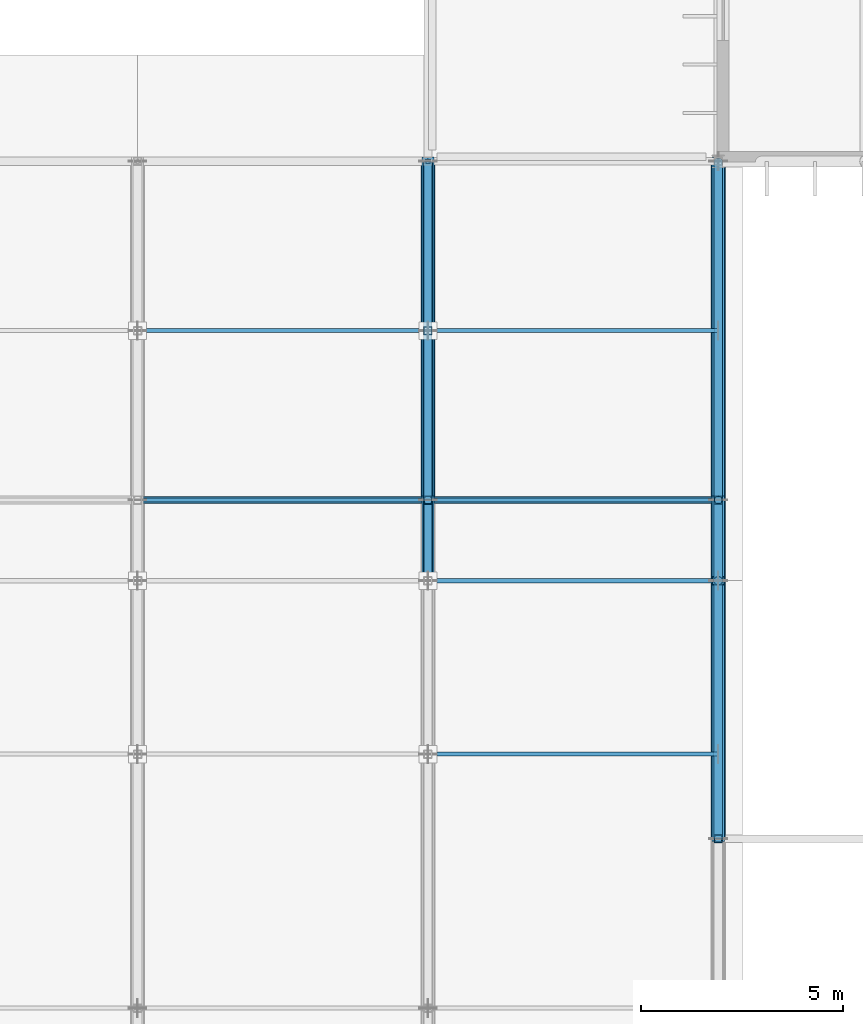
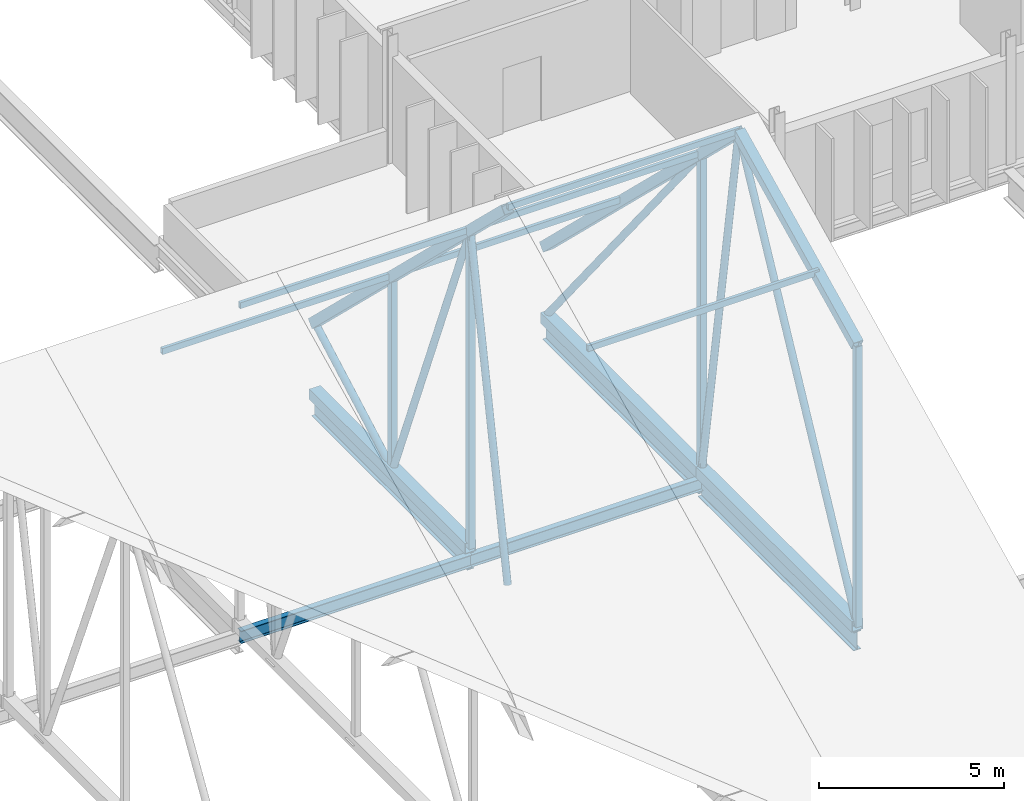
# One storey, part 28 of 99: 25 members, 5 beams.
"""IFC4 building model written with IfcOpenShell, lengths in metres."""

from ifc_helpers import new_model, si_unit, direction, frame, origin, origin_2d, place, context, subcontext, project, spatial, hollow_rectangle, hollow_circle, i_section, extrude, material, material_profile, profile_set, type_object, element, save


model = new_model("IFC4")

# Units and contexts
model_context = context("Model", 3, precision=1e-05, world=origin(), true_north=direction((0.0, 1.0)))
body_context = subcontext(model_context, "Body", "Model", "MODEL_VIEW")
ifc_project = project(units=[si_unit("LENGTHUNIT", "METRE"), si_unit("AREAUNIT", "SQUARE_METRE"), si_unit("VOLUMEUNIT", "CUBIC_METRE"), si_unit("PLANEANGLEUNIT", "RADIAN"), si_unit("MASSUNIT", "GRAM", prefix="KILO")], contexts=[model_context])

# Site, building, storey
site_placement = place(None, origin())
site = spatial("IfcSite", under=ifc_project, at=site_placement, CompositionType="ELEMENT")
building_placement = place(site_placement, origin())
building = spatial("IfcBuilding", under=site, at=building_placement, Name="Qelthora Terrace Specialist Clinic", CompositionType="ELEMENT")
storey_placement = place(building_placement, frame((0.0, 0.0, 9.0)))
storey = spatial("IfcBuildingStorey", under=building, at=storey_placement, Name="L02", CompositionType="ELEMENT", Elevation=9.0)

# Beams
ifc_material = material(Name="Steel S355", Category="steel")
ifc_material_profile_1 = material_profile(ifc_material, i_section(OverallWidth=0.178955078125, OverallDepth=0.409912109375, WebThickness=0.0087890625, FlangeThickness=0.014404296875, FilletRadius=0.011962890625, at=origin_2d()), Name="W410X67")
ifc_profile_set_1 = profile_set([ifc_material_profile_1], Name="Steel S355")
beam_type_1 = type_object("IfcBeamType", Name="BM-W410X67", PredefinedType="BEAM", material=ifc_profile_set_1)
beam_1_placement = place(storey_placement, frame((86.39990234375, 25.199951171875, -0.455078125), z_axis=(1.0, 0.0, 0.0), x_axis=(0.0, 1.0, 0.0)))
element("IfcBeam", 1, at=beam_1_placement, inside=storey, type_object=beam_type_1, Name="Girder BMX-L02-0598", PredefinedType="BEAM", context=body_context, shape_type="SweptSolid", body=[
    extrude(i_section(OverallWidth=0.178955078125, OverallDepth=0.409912109375, WebThickness=0.0087890625, FlangeThickness=0.014404296875, FilletRadius=0.011962890625, at=origin_2d()), origin(), (0.0, 0.0, 1.0), 7.2001953125),
])
ifc_material_profile_2 = material_profile(ifc_material, i_section(OverallWidth=0.179931640625, OverallDepth=0.4130859375, WebThickness=0.009765625, FlangeThickness=0.01611328125, FilletRadius=0.011962890625, at=origin_2d()), Name="W410X75")
ifc_profile_set_2 = profile_set([ifc_material_profile_2], Name="Steel S355")
beam_type_2 = type_object("IfcBeamType", Name="BM-W410X75", PredefinedType="BEAM", material=ifc_profile_set_2)
beam_2_placement = place(storey_placement, frame((79.199951171875, 25.199951171875, -0.45654296875), z_axis=(1.0, 0.0, 0.0), x_axis=(0.0, 1.0, 0.0)))
element("IfcBeam", 2, at=beam_2_placement, inside=storey, type_object=beam_type_2, Name="Girder BMX-L02-0597", PredefinedType="BEAM", context=body_context, shape_type="SweptSolid", body=[
    extrude(i_section(OverallWidth=0.179931640625, OverallDepth=0.4130859375, WebThickness=0.009765625, FlangeThickness=0.01611328125, FilletRadius=0.011962890625, at=origin_2d()), origin(), (0.0, 0.0, 1.0), 7.199951171875),
])
ifc_material_profile_3 = material_profile(ifc_material, i_section(OverallWidth=0.2099609375, OverallDepth=0.537109375, WebThickness=0.010986328125, FlangeThickness=0.017333984375, FilletRadius=0.013916015625, at=origin_2d()), Name="W530X101")
ifc_profile_set_3 = profile_set([ifc_material_profile_3], Name="Steel S355")
beam_type_3 = type_object("IfcBeamType", Name="BM-W530X101", PredefinedType="BEAM", material=ifc_profile_set_3)
beam_3_placement = place(storey_placement, frame((86.39990234375, 25.199951171875, -0.5185546875), z_axis=(0.0, 1.0, 0.0), x_axis=(-1.0, 0.0, 0.0)))
element("IfcBeam", 3, at=beam_3_placement, inside=storey, type_object=beam_type_3, Name="Girder BMY-L02-0826", PredefinedType="BEAM", context=body_context, shape_type="SweptSolid", body=[
    extrude(i_section(OverallWidth=0.2099609375, OverallDepth=0.537109375, WebThickness=0.010986328125, FlangeThickness=0.017333984375, FilletRadius=0.013916015625, at=origin_2d()), origin(), (0.0, 0.0, 1.0), 8.400146484375),
])
ifc_material_profile_4 = material_profile(ifc_material, i_section(OverallWidth=0.2119140625, OverallDepth=0.5439453125, WebThickness=0.01318359375, FlangeThickness=0.021240234375, FilletRadius=0.013916015625, at=origin_2d()), Name="W530X123")
ifc_profile_set_4 = profile_set([ifc_material_profile_4], Name="Steel S355")
beam_type_4 = type_object("IfcBeamType", Name="BM-W530X123", PredefinedType="BEAM", material=ifc_profile_set_4)
beam_4_placement = place(storey_placement, frame((93.60009765625, 25.199951171875, -0.52197265625), z_axis=(0.0, 1.0, 0.0), x_axis=(-1.0, 0.0, 0.0)))
element("IfcBeam", 4, at=beam_4_placement, inside=storey, type_object=beam_type_4, Name="Girder BMY-L02-0835", PredefinedType="BEAM", context=body_context, shape_type="SweptSolid", body=[
    extrude(i_section(OverallWidth=0.2119140625, OverallDepth=0.5439453125, WebThickness=0.01318359375, FlangeThickness=0.021240234375, FilletRadius=0.013916015625, at=origin_2d()), origin(), (0.0, 0.0, 1.0), 8.400146484375),
])
ifc_material_profile_5 = material_profile(ifc_material, i_section(OverallWidth=0.22998046875, OverallDepth=0.616943359375, WebThickness=0.01318359375, FlangeThickness=0.022216796875, FilletRadius=0.01611328125, at=origin_2d()), Name="W610X140")
ifc_profile_set_5 = profile_set([ifc_material_profile_5], Name="Steel S355")
beam_type_5 = type_object("IfcBeamType", Name="BM-W610X140", PredefinedType="BEAM", material=ifc_profile_set_5)
beam_5_placement = place(storey_placement, frame((93.60009765625, 16.800048828125, -0.55859375), z_axis=(0.0, 1.0, 0.0), x_axis=(-1.0, 0.0, 0.0)))
element("IfcBeam", 5, at=beam_5_placement, inside=storey, type_object=beam_type_5, Name="Girder BMY-L02-0834", PredefinedType="BEAM", context=body_context, shape_type="SweptSolid", body=[
    extrude(i_section(OverallWidth=0.22998046875, OverallDepth=0.616943359375, WebThickness=0.01318359375, FlangeThickness=0.022216796875, FilletRadius=0.01611328125, at=origin_2d()), origin(), (0.0, 0.0, 1.0), 8.39990234375),
])

# Members
ifc_material_profile_6 = material_profile(ifc_material, hollow_circle(Radius=0.109619140625, WallThickness=0.010009765625, at=origin_2d()), Name="CHS219X10")
ifc_profile_set_6 = profile_set([ifc_material_profile_6], Name="Steel S355")
member_type_1 = type_object("IfcMemberType", Name="MEM-BRACE-CHS219", PredefinedType="BRACE", material=ifc_profile_set_6)
member_1_placement = place(storey_placement, frame((86.39990234375, 23.199951171875, -0.050048828125), z_axis=(0.0, 0.188367218673, 0.982098666596), x_axis=(-1.0, 0.0, 0.0)))
element("IfcMember", 6, at=member_1_placement, inside=storey, type_object=member_type_1, Name="Hall roof truss TR-5 diagonal web 5", PredefinedType="BRACE", context=body_context, shape_type="SweptSolid", body=[
    extrude(hollow_circle(Radius=0.109619140625, WallThickness=0.010009765625, at=origin_2d()), origin(), (0.0, 0.0, 1.0), 10.61767578125),
])
member_2_placement = place(storey_placement, frame((86.39990234375, 25.199951171875, 10.37744140625), z_axis=(0.0, 0.373610064718, -0.927585855617), x_axis=(-1.0, 0.0, 0.0)))
element("IfcMember", 7, at=member_2_placement, inside=storey, type_object=member_type_1, Name="Hall roof truss TR-5 diagonal web 6", PredefinedType="BRACE", context=body_context, shape_type="SweptSolid", body=[
    extrude(hollow_circle(Radius=0.109619140625, WallThickness=0.010009765625, at=origin_2d()), origin(), (0.0, 0.0, 1.0), 11.241455078125),
])
member_3_placement = place(storey_placement, frame((86.39990234375, 29.39990234375, -0.050048828125), z_axis=(0.0, 0.876134179583, 0.482067318294), x_axis=(-1.0, 0.0, 0.0)))
element("IfcMember", 8, at=member_3_placement, inside=storey, type_object=member_type_1, Name="Hall roof truss TR-5 diagonal web 7", PredefinedType="BRACE", context=body_context, shape_type="SweptSolid", body=[
    extrude(hollow_circle(Radius=0.109619140625, WallThickness=0.010009765625, at=origin_2d()), origin(), (0.0, 0.0, 1.0), 4.7939453125),
])
member_4_placement = place(storey_placement, frame((93.60009765625, 16.800048828125, -0.050048828125), z_axis=(0.0, 0.459805096677, 0.888019860741), x_axis=(-1.0, 0.0, 0.0)))
element("IfcMember", 9, at=member_4_placement, inside=storey, type_object=member_type_1, Name="Hall roof truss TR-6 diagonal web 3", PredefinedType="BRACE", context=body_context, shape_type="SweptSolid", body=[
    extrude(hollow_circle(Radius=0.109619140625, WallThickness=0.010009765625, at=origin_2d()), origin(), (0.0, 0.0, 1.0), 13.918701171875),
])
member_5_placement = place(storey_placement, frame((93.60009765625, 25.199951171875, -0.050048828125), z_axis=(0.0, -0.159733273645, 0.987160210549), x_axis=(1.0, 0.0, 0.0)))
element("IfcMember", 10, at=member_5_placement, inside=storey, type_object=member_type_1, Name="Hall roof truss TR-6 diagonal web 4", PredefinedType="BRACE", context=body_context, shape_type="SweptSolid", body=[
    extrude(hollow_circle(Radius=0.109619140625, WallThickness=0.010009765625, at=origin_2d()), origin(), (0.0, 0.0, 1.0), 12.520751953125),
])
member_6_placement = place(storey_placement, frame((93.60009765625, 33.60009765625, -0.050048828125), z_axis=(0.0, -0.627339673849, 0.778745743882), x_axis=(1.0, 0.0, 0.0)))
element("IfcMember", 11, at=member_6_placement, inside=storey, type_object=member_type_1, Name="Hall roof truss TR-6 diagonal web 5", PredefinedType="BRACE", context=body_context, shape_type="SweptSolid", body=[
    extrude(hollow_circle(Radius=0.109619140625, WallThickness=0.010009765625, at=origin_2d()), origin(), (0.0, 0.0, 1.0), 13.39013671875),
])
ifc_material_profile_7 = material_profile(ifc_material, hollow_rectangle(XDim=0.199951171875, YDim=0.199951171875, WallThickness=0.010009765625, at=origin_2d()), Name="HSS200X200X10")
ifc_profile_set_7 = profile_set([ifc_material_profile_7], Name="Steel S355")
member_type_2 = type_object("IfcMemberType", Name="MEM-BRACE-HSS200", PredefinedType="BRACE", material=ifc_profile_set_7)
member_7_placement = place(storey_placement, frame((86.39990234375, 25.199951171875, -0.050048828125), z_axis=(0.0, 0.0, 1.0), x_axis=(1.0, 0.0, 0.0)))
element("IfcMember", 12, at=member_7_placement, inside=storey, type_object=member_type_2, Name="Hall roof truss TR-5 vertical web 6", PredefinedType="BRACE", context=body_context, shape_type="SweptSolid", body=[
    extrude(hollow_rectangle(XDim=0.199951171875, YDim=0.199951171875, WallThickness=0.010009765625, at=origin_2d()), origin(), (0.0, 0.0, 1.0), 10.427490234375),
])
member_8_placement = place(storey_placement, frame((86.39990234375, 29.39990234375, -0.050048828125), z_axis=(0.0, 0.0, 1.0), x_axis=(1.0, 0.0, 0.0)))
element("IfcMember", 13, at=member_8_placement, inside=storey, type_object=member_type_2, Name="Hall roof truss TR-5 vertical web 7", PredefinedType="BRACE", context=body_context, shape_type="SweptSolid", body=[
    extrude(hollow_rectangle(XDim=0.199951171875, YDim=0.199951171875, WallThickness=0.010009765625, at=origin_2d()), origin(), (0.0, 0.0, 1.0), 6.369140625),
])
member_9_placement = place(storey_placement, frame((93.60009765625, 16.800048828125, -0.050048828125), z_axis=(0.0, 0.0, 1.0), x_axis=(1.0, 0.0, 0.0)))
element("IfcMember", 14, at=member_9_placement, inside=storey, type_object=member_type_2, Name="Hall roof truss TR-6 vertical web 3", PredefinedType="BRACE", context=body_context, shape_type="SweptSolid", body=[
    extrude(hollow_rectangle(XDim=0.199951171875, YDim=0.199951171875, WallThickness=0.010009765625, at=origin_2d()), origin(), (0.0, 0.0, 1.0), 9.2392578125),
])
member_10_placement = place(storey_placement, frame((93.60009765625, 25.199951171875, -0.050048828125), z_axis=(0.0, 0.0, 1.0), x_axis=(1.0, 0.0, 0.0)))
element("IfcMember", 15, at=member_10_placement, inside=storey, type_object=member_type_2, Name="Hall roof truss TR-6 vertical web 4", PredefinedType="BRACE", context=body_context, shape_type="SweptSolid", body=[
    extrude(hollow_rectangle(XDim=0.199951171875, YDim=0.199951171875, WallThickness=0.010009765625, at=origin_2d()), origin(), (0.0, 0.0, 1.0), 10.427490234375),
])
ifc_material_profile_8 = material_profile(ifc_material, hollow_rectangle(XDim=0.300048828125, YDim=0.300048828125, WallThickness=0.011962890625, at=origin_2d()), Name="HSS300X300X12")
ifc_profile_set_8 = profile_set([ifc_material_profile_8], Name="Steel S355")
member_type_3 = type_object("IfcMemberType", Name="MEM-CHORD-HSS300", PredefinedType="CHORD", material=ifc_profile_set_8)
member_11_placement = place(storey_placement, frame((86.39990234375, 23.199951171875, 12.31005859375), z_axis=(0.0, 0.719117037944, -0.694888973677), x_axis=(-1.0, 0.0, 0.0)))
element("IfcMember", 16, at=member_11_placement, inside=storey, type_object=member_type_3, Name="Hall roof truss TR-5 top chord 5", PredefinedType="CHORD", context=body_context, shape_type="SweptSolid", body=[
    extrude(hollow_rectangle(XDim=0.300048828125, YDim=0.300048828125, WallThickness=0.011962890625, at=origin_2d()), origin(), (0.0, 0.0, 1.0), 2.78125),
])
for number, where, z_axis, x_axis, name in (
    (17, (86.39990234375, 25.199951171875, 10.37744140625), (0.0, 0.719125534205, -0.694880181078), (-1.0, 0.0, 0.0), "Hall roof truss TR-5 top chord 6"),
    (18, (86.39990234375, 29.39990234375, 6.319091796875), (0.0, 0.719166606397, -0.694837673305), (-1.0, 0.0, 0.0), "Hall roof truss TR-5 top chord 7"),
):
    element("IfcMember", number, at=place(storey_placement, frame(where, z_axis=z_axis, x_axis=x_axis)), inside=storey, type_object=member_type_3, Name=name, PredefinedType="CHORD", context=body_context, shape_type="SweptSolid", body=[
        extrude(hollow_rectangle(XDim=0.300048828125, YDim=0.300048828125, WallThickness=0.011962890625, at=origin_2d()), origin(), (0.0, 0.0, 1.0), 5.84033203125),
    ])
member_12_placement = place(storey_placement, frame((93.60009765625, 16.800048828125, 9.189208984375), z_axis=(0.0, 0.89882676526, 0.438304056623), x_axis=(-1.0, 0.0, 0.0)))
element("IfcMember", 19, at=member_12_placement, inside=storey, type_object=member_type_3, Name="Hall roof truss TR-6 top chord 3", PredefinedType="CHORD", context=body_context, shape_type="SweptSolid", body=[
    extrude(hollow_rectangle(XDim=0.300048828125, YDim=0.300048828125, WallThickness=0.011962890625, at=origin_2d()), origin(), (0.0, 0.0, 1.0), 7.120361328125),
])
member_13_placement = place(storey_placement, frame((93.60009765625, 23.199951171875, 12.31005859375), z_axis=(0.0, 0.719117037944, -0.694888973677), x_axis=(-1.0, 0.0, 0.0)))
element("IfcMember", 20, at=member_13_placement, inside=storey, type_object=member_type_3, Name="Hall roof truss TR-6 top chord 4", PredefinedType="CHORD", context=body_context, shape_type="SweptSolid", body=[
    extrude(hollow_rectangle(XDim=0.300048828125, YDim=0.300048828125, WallThickness=0.011962890625, at=origin_2d()), origin(), (0.0, 0.0, 1.0), 2.78125),
])
member_14_placement = place(storey_placement, frame((93.60009765625, 25.199951171875, 10.37744140625), z_axis=(0.0, 0.719146070625, -0.694858927484), x_axis=(-1.0, 0.0, 0.0)))
element("IfcMember", 21, at=member_14_placement, inside=storey, type_object=member_type_3, Name="Hall roof truss TR-6 top chord 5", PredefinedType="CHORD", context=body_context, shape_type="SweptSolid", body=[
    extrude(hollow_rectangle(XDim=0.300048828125, YDim=0.300048828125, WallThickness=0.011962890625, at=origin_2d()), origin(), (0.0, 0.0, 1.0), 11.6806640625),
])
ifc_material_profile_9 = material_profile(ifc_material, hollow_rectangle(XDim=0.35009765625, YDim=0.35009765625, WallThickness=0.01611328125, at=origin_2d()), Name="HSS350X350X16")
ifc_profile_set_9 = profile_set([ifc_material_profile_9], Name="Steel S355")
member_type_4 = type_object("IfcMemberType", Name="MEM-CHORD-HSS350", PredefinedType="CHORD", material=ifc_profile_set_9)
member_15_placement = place(storey_placement, frame((86.39990234375, 25.199951171875, -0.050048828125), z_axis=(0.0, 1.0, 0.0), x_axis=(-1.0, 0.0, 0.0)))
element("IfcMember", 22, at=member_15_placement, inside=storey, type_object=member_type_4, Name="Hall roof truss TR-5 bottom chord 2", PredefinedType="CHORD", context=body_context, shape_type="SweptSolid", body=[
    extrude(hollow_rectangle(XDim=0.35009765625, YDim=0.35009765625, WallThickness=0.01611328125, at=origin_2d()), origin(), (0.0, 0.0, 1.0), 8.400146484375),
])
member_16_placement = place(storey_placement, frame((93.60009765625, 16.800048828125, -0.050048828125), z_axis=(0.0, 1.0, 0.0), x_axis=(-1.0, 0.0, 0.0)))
element("IfcMember", 23, at=member_16_placement, inside=storey, type_object=member_type_4, Name="Hall roof truss TR-6 bottom chord 3", PredefinedType="CHORD", context=body_context, shape_type="SweptSolid", body=[
    extrude(hollow_rectangle(XDim=0.35009765625, YDim=0.35009765625, WallThickness=0.01611328125, at=origin_2d()), origin(), (0.0, 0.0, 1.0), 8.39990234375),
])
member_17_placement = place(storey_placement, frame((93.60009765625, 25.199951171875, -0.050048828125), z_axis=(0.0, 1.0, 0.0), x_axis=(-1.0, 0.0, 0.0)))
element("IfcMember", 24, at=member_17_placement, inside=storey, type_object=member_type_4, Name="Hall roof truss TR-6 bottom chord 4", PredefinedType="CHORD", context=body_context, shape_type="SweptSolid", body=[
    extrude(hollow_rectangle(XDim=0.35009765625, YDim=0.35009765625, WallThickness=0.01611328125, at=origin_2d()), origin(), (0.0, 0.0, 1.0), 8.400146484375),
])
ifc_material_profile_10 = material_profile(ifc_material, hollow_rectangle(XDim=0.10009765625, YDim=0.199951171875, WallThickness=0.008056640625, at=origin_2d()), Name="HSS200X100X8")
ifc_profile_set_10 = profile_set([ifc_material_profile_10], Name="Steel S355")
member_type_5 = type_object("IfcMemberType", Name="MEM-PURLIN-HSS200", PredefinedType="PURLIN", material=ifc_profile_set_10)
for number, where, z_axis, x_axis, name in (
    (25, (86.39990234375, 18.89990234375, 10.329345703125), (1.0, 0.0, 0.0), (0.0, 1.0, 0.0), "Hall roof purlin V1-PRL-015"),
    (26, (86.39990234375, 23.199951171875, 12.3740234375), (1.0, 0.0, 0.0), (0.0, 1.0, 0.0), "Hall roof purlin V1-PRL-020"),
):
    element("IfcMember", number, at=place(storey_placement, frame(where, z_axis=z_axis, x_axis=x_axis)), inside=storey, type_object=member_type_5, Name=name, PredefinedType="PURLIN", context=body_context, shape_type="SweptSolid", body=[
        extrude(hollow_rectangle(XDim=0.10009765625, YDim=0.199951171875, WallThickness=0.008056640625, at=origin_2d()), origin(), (0.0, 0.0, 1.0), 7.2001953125),
    ])
member_18_placement = place(storey_placement, frame((79.199951171875, 25.199951171875, 10.44140625), z_axis=(1.0, 0.0, 0.0), x_axis=(0.0, 1.0, 0.0)))
element("IfcMember", 27, at=member_18_placement, inside=storey, type_object=member_type_5, Name="Hall roof purlin V1-PRL-024", PredefinedType="PURLIN", context=body_context, shape_type="SweptSolid", body=[
    extrude(hollow_rectangle(XDim=0.10009765625, YDim=0.199951171875, WallThickness=0.008056640625, at=origin_2d()), origin(), (0.0, 0.0, 1.0), 7.199951171875),
])
member_19_placement = place(storey_placement, frame((86.39990234375, 25.199951171875, 10.44140625), z_axis=(1.0, 0.0, 0.0), x_axis=(0.0, 1.0, 0.0)))
element("IfcMember", 28, at=member_19_placement, inside=storey, type_object=member_type_5, Name="Hall roof purlin V1-PRL-025", PredefinedType="PURLIN", context=body_context, shape_type="SweptSolid", body=[
    extrude(hollow_rectangle(XDim=0.10009765625, YDim=0.199951171875, WallThickness=0.008056640625, at=origin_2d()), origin(), (0.0, 0.0, 1.0), 7.2001953125),
])
member_20_placement = place(storey_placement, frame((79.199951171875, 29.39990234375, 6.38330078125), z_axis=(1.0, 0.0, 0.0), x_axis=(0.0, 1.0, 0.0)))
element("IfcMember", 29, at=member_20_placement, inside=storey, type_object=member_type_5, Name="Hall roof purlin V1-PRL-029", PredefinedType="PURLIN", context=body_context, shape_type="SweptSolid", body=[
    extrude(hollow_rectangle(XDim=0.10009765625, YDim=0.199951171875, WallThickness=0.008056640625, at=origin_2d()), origin(), (0.0, 0.0, 1.0), 7.199951171875),
])
member_21_placement = place(storey_placement, frame((86.39990234375, 29.39990234375, 6.38330078125), z_axis=(1.0, 0.0, 0.0), x_axis=(0.0, 1.0, 0.0)))
element("IfcMember", 30, at=member_21_placement, inside=storey, type_object=member_type_5, Name="Hall roof purlin V1-PRL-030", PredefinedType="PURLIN", context=body_context, shape_type="SweptSolid", body=[
    extrude(hollow_rectangle(XDim=0.10009765625, YDim=0.199951171875, WallThickness=0.008056640625, at=origin_2d()), origin(), (0.0, 0.0, 1.0), 7.2001953125),
])

save(model, "model.ifc")
